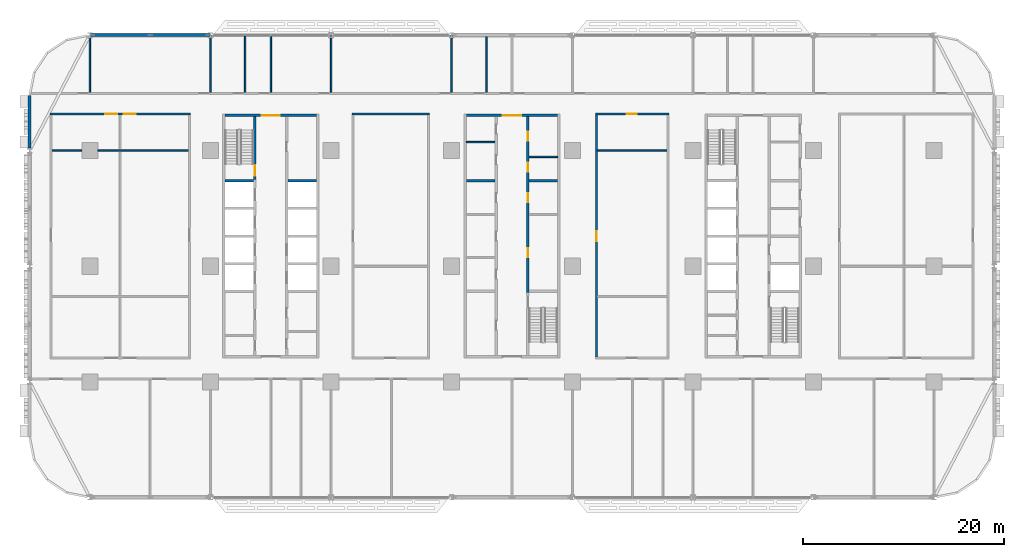
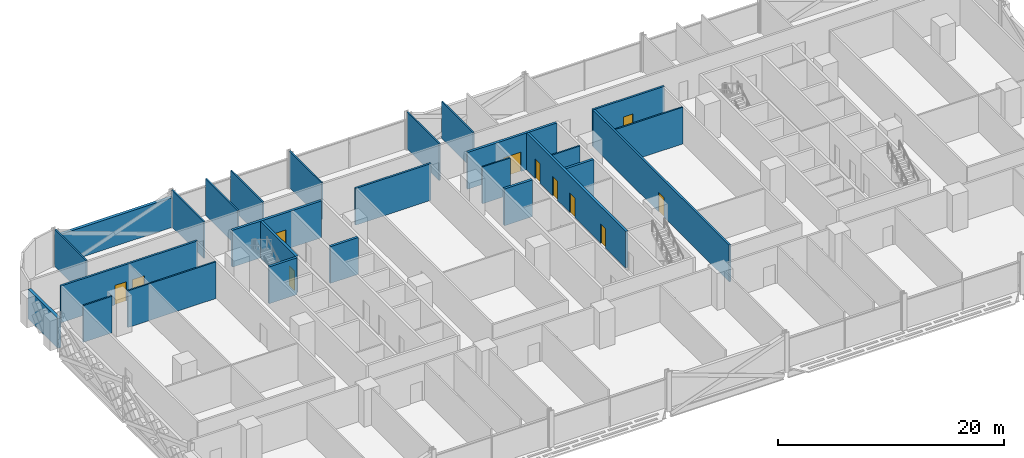
# One storey, part 12 of 29: 26 walls, 11 doors, 11 openings.
"""IFC4 building model written with IfcOpenShell, lengths in metres."""

from ifc_helpers import new_model, si_unit, direction, frame, frame_2d, origin, place, context, subcontext, project, spatial, rectangle, extrude, material, layer, layer_set, type_object, element, fill, save


model = new_model("IFC4")

# Units and contexts
model_context = context("Model", 3, precision=1e-05, world=origin(), true_north=direction((0.0, 1.0)))
body_context = subcontext(model_context, "Body", "Model", "MODEL_VIEW")
ifc_project = project(units=[si_unit("LENGTHUNIT", "METRE"), si_unit("AREAUNIT", "SQUARE_METRE"), si_unit("VOLUMEUNIT", "CUBIC_METRE"), si_unit("PLANEANGLEUNIT", "RADIAN"), si_unit("MASSUNIT", "GRAM", prefix="KILO")], contexts=[model_context])

# Site, building, storey
site_placement = place(None, origin())
site = spatial("IfcSite", under=ifc_project, at=site_placement, CompositionType="ELEMENT")
building_placement = place(site_placement, origin())
building = spatial("IfcBuilding", under=site, at=building_placement, Name="Mahtab Terrace Research Tower", CompositionType="ELEMENT")
storey_placement = place(building_placement, frame((0.0, 0.0, 20.10009765625)))
storey = spatial("IfcBuildingStorey", under=building, at=storey_placement, Name="L04", CompositionType="ELEMENT", Elevation=20.10009765625)

# Walls
ifc_material_1 = material(Name="Gypsum board partition")
ifc_layer_1 = layer(ifc_material_1, 0.14990234375)
ifc_layer_set_1 = layer_set([ifc_layer_1], Name="Core partition 150")
wall_type_1 = type_object("IfcWallType", Name="Core partition 150", PredefinedType="PARTITIONING", material=ifc_layer_set_1)
for number, where, z_axis, x_axis, name in (
    (1, (-4.550048828125, 12.35498046875, 0.0), (0.0, 0.0, 1.0), (1.0, 0.0, 0.0), "Core wall B pWN936"),
    (2, (1.699951171875, 10.875, 0.0), (0.0, 0.0, 1.0), (1.0, 0.0, 0.0), "Core wall B pEN788"),
):
    element("IfcWall", number, at=place(storey_placement, frame(where, z_axis=z_axis, x_axis=x_axis)), inside=storey, type_object=wall_type_1, Name=name, PredefinedType="PARTITIONING", context=body_context, shape_type="SweptSolid", body=[
        extrude(rectangle(XDim=2.85009765625, YDim=0.14990234375, at=frame_2d((1.425048828125, 0.0))), origin(), (0.0, 0.0, 1.0), 3.9599609375),
    ])

# Wall, opening, door
ifc_material_2 = material(Name="Concrete C70/85", Category="concrete")
ifc_layer_2 = layer(ifc_material_2, 0.25)
ifc_layer_set_2 = layer_set([ifc_layer_2], Name="Core wall 250")
wall_type_2 = type_object("IfcWallType", Name="Core wall 250", PredefinedType="SOLIDWALL", material=ifc_layer_set_2)
wall_1_placement = place(storey_placement, frame((-28.550048828125, 15.0, 0.0), z_axis=(0.0, 0.0, 1.0), x_axis=(1.0, 0.0, 0.0)))
wall_1 = element("IfcWall", 3, at=wall_1_placement, inside=storey, type_object=wall_type_2, Name="Core wall A endN", PredefinedType="SOLIDWALL", context=body_context, shape_type="SweptSolid", body=[
    extrude(rectangle(XDim=9.10009765625, YDim=0.25, at=frame_2d((4.550048828125, 0.0))), origin(), (0.0, 0.0, 1.0), 3.9599609375),
])
opening_1_placement = place(wall_1_placement, frame((3.64990234375, 0.0, 0.0)))
opening_1 = element("IfcOpeningElement", 4, at=opening_1_placement, cuts=wall_1, Name="Opening A-N1", PredefinedType="OPENING", context=body_context, shape_type="SweptSolid", body=[
    extrude(rectangle(XDim=1.800048828125, YDim=2.10009765625, at=frame_2d((0.89990234375, 1.050048828125))), frame((0.0, 0.135009765625, 0.0), z_axis=(0.0, -1.0, 0.0), x_axis=(1.0, 0.0, 0.0)), (0.0, 0.0, 1.0), 0.27001953125),
])
ifc_material_3 = material(Name="Steel fire door", Category="steel")
door_type_1 = type_object("IfcDoorType", Name="Lobby double door 1800x2100 1 HR", OperationType="DOUBLE_DOOR_SINGLE_SWING", PredefinedType="DOOR", material=ifc_material_3)
door_1_placement = place(opening_1_placement, origin())
door_1 = element("IfcDoor", 5, at=door_1_placement, inside=storey, type_object=door_type_1, Name="Core entrance door A N", OperationType="DOUBLE_DOOR_SINGLE_SWING", OverallHeight=2.10009765625, OverallWidth=1.800048828125, PredefinedType="DOOR", context=body_context, shape_type="SweptSolid", body=[
    extrude(rectangle(XDim=1.800048828125, YDim=2.10009765625, at=frame_2d((0.89990234375, 1.050048828125))), frame((0.0, 0.02490234375, 0.0), z_axis=(0.0, -1.0, 0.0), x_axis=(1.0, 0.0, 0.0)), (0.0, 0.0, 1.0), 0.050048828125),
])
fill(opening_1, door_1)

wall_2_placement = place(storey_placement, frame((-25.574951171875, 14.875, 0.0), z_axis=(0.0, 0.0, 1.0), x_axis=(0.0, -1.0, 0.0)))
wall_2 = element("IfcWall", 6, at=wall_2_placement, inside=storey, type_object=wall_type_2, Name="Core wall A innerWN", PredefinedType="SOLIDWALL", context=body_context, shape_type="SweptSolid", body=[
    extrude(rectangle(XDim=6.25, YDim=0.25, at=frame_2d((3.125, 0.0))), origin(), (0.0, 0.0, 1.0), 3.9599609375),
])
opening_2_placement = place(wall_2_placement, frame((4.85009765625, 0.0, 0.0)))
opening_2 = element("IfcOpeningElement", 7, at=opening_2_placement, cuts=wall_2, Name="Opening A-ST1", PredefinedType="OPENING", context=body_context, shape_type="SweptSolid", body=[
    extrude(rectangle(XDim=1.0, YDim=2.10009765625, at=frame_2d((0.5, 1.050048828125))), frame((0.0, 0.135009765625, 0.0), z_axis=(0.0, -1.0, 0.0), x_axis=(1.0, 0.0, 0.0)), (0.0, 0.0, 1.0), 0.27001953125),
])
door_type_2 = type_object("IfcDoorType", Name="Stair door 1000x2100 1.5 HR", OperationType="NOTDEFINED", PredefinedType="DOOR", material=ifc_material_3)
door_2_placement = place(opening_2_placement, origin())
door_2 = element("IfcDoor", 8, at=door_2_placement, inside=storey, type_object=door_type_2, Name="Stair door ST1 L04", OperationType="SINGLE_SWING_RIGHT", OverallHeight=2.10009765625, OverallWidth=1.0, PredefinedType="DOOR", context=body_context, shape_type="SweptSolid", body=[
    extrude(rectangle(XDim=1.0, YDim=2.10009765625, at=frame_2d((0.5, 1.050048828125))), frame((0.0, 0.02490234375, 0.0), z_axis=(0.0, -1.0, 0.0), x_axis=(1.0, 0.0, 0.0)), (0.0, 0.0, 1.0), 0.050048828125),
])
fill(opening_2, door_2)

# Walls
for number, where, z_axis, x_axis, name in (
    (9, (-28.550048828125, 8.5, 0.0), (0.0, 0.0, 1.0), (1.0, 0.0, 0.0), "Core wall A divW4"),
    (10, (-22.300048828125, 8.5, 0.0), (0.0, 0.0, 1.0), (1.0, 0.0, 0.0), "Core wall A divE4"),
):
    element("IfcWall", number, at=place(storey_placement, frame(where, z_axis=z_axis, x_axis=x_axis)), inside=storey, type_object=wall_type_2, Name=name, PredefinedType="SOLIDWALL", context=body_context, shape_type="SweptSolid", body=[
        extrude(rectangle(XDim=2.85009765625, YDim=0.25, at=frame_2d((1.425048828125, 0.0))), origin(), (0.0, 0.0, 1.0), 3.9599609375),
    ])

# Wall, opening, door
wall_3_placement = place(storey_placement, frame((-4.550048828125, 15.0, 0.0), z_axis=(0.0, 0.0, 1.0), x_axis=(1.0, 0.0, 0.0)))
wall_3 = element("IfcWall", 11, at=wall_3_placement, inside=storey, type_object=wall_type_2, Name="Core wall B endN", PredefinedType="SOLIDWALL", context=body_context, shape_type="SweptSolid", body=[
    extrude(rectangle(XDim=9.10009765625, YDim=0.25, at=frame_2d((4.550048828125, 0.0))), origin(), (0.0, 0.0, 1.0), 3.9599609375),
])
opening_3_placement = place(wall_3_placement, frame((3.64990234375, 0.0, 0.0)))
opening_3 = element("IfcOpeningElement", 12, at=opening_3_placement, cuts=wall_3, Name="Opening B-N1", PredefinedType="OPENING", context=body_context, shape_type="SweptSolid", body=[
    extrude(rectangle(XDim=1.800048828125, YDim=2.10009765625, at=frame_2d((0.89990234375, 1.050048828125))), frame((0.0, 0.135009765625, 0.0), z_axis=(0.0, -1.0, 0.0), x_axis=(1.0, 0.0, 0.0)), (0.0, 0.0, 1.0), 0.27001953125),
])
door_3_placement = place(opening_3_placement, origin())
door_3 = element("IfcDoor", 13, at=door_3_placement, inside=storey, type_object=door_type_1, Name="Core entrance door B N", OperationType="DOUBLE_DOOR_SINGLE_SWING", OverallHeight=2.10009765625, OverallWidth=1.800048828125, PredefinedType="DOOR", context=body_context, shape_type="SweptSolid", body=[
    extrude(rectangle(XDim=1.800048828125, YDim=2.10009765625, at=frame_2d((0.89990234375, 1.050048828125))), frame((0.0, 0.02490234375, 0.0), z_axis=(0.0, -1.0, 0.0), x_axis=(1.0, 0.0, 0.0)), (0.0, 0.0, 1.0), 0.050048828125),
])
fill(opening_3, door_3)

# Wall, openings, doors
wall_4_placement = place(storey_placement, frame((1.574951171875, 14.875, 0.0), z_axis=(0.0, 0.0, 1.0), x_axis=(0.0, -1.0, 0.0)))
wall_4 = element("IfcWall", 14, at=wall_4_placement, inside=storey, type_object=wall_type_2, Name="Core wall B innerELN", PredefinedType="SOLIDWALL", context=body_context, shape_type="SweptSolid", body=[
    extrude(rectangle(XDim=17.5, YDim=0.25, at=frame_2d((8.75, 0.0))), origin(), (0.0, 0.0, 1.0), 3.9599609375),
])
opening_4_placement = place(wall_4_placement, frame((13.074951171875, 0.0, 0.0)))
opening_4 = element("IfcOpeningElement", 15, at=opening_4_placement, cuts=wall_4, Name="Opening B-R4", PredefinedType="OPENING", context=body_context, shape_type="SweptSolid", body=[
    extrude(rectangle(XDim=0.89990234375, YDim=2.10009765625, at=frame_2d((0.449951171875, 1.050048828125))), frame((0.0, 0.135009765625, 0.0), z_axis=(0.0, -1.0, 0.0), x_axis=(1.0, 0.0, 0.0)), (0.0, 0.0, 1.0), 0.27001953125),
])
opening_5_placement = place(wall_4_placement, frame((7.625, 0.0, 0.0)))
opening_5 = element("IfcOpeningElement", 16, at=opening_5_placement, cuts=wall_4, Name="Opening B-R5", PredefinedType="OPENING", context=body_context, shape_type="SweptSolid", body=[
    extrude(rectangle(XDim=0.89990234375, YDim=2.10009765625, at=frame_2d((0.449951171875, 1.050048828125))), frame((0.0, 0.135009765625, 0.0), z_axis=(0.0, -1.0, 0.0), x_axis=(1.0, 0.0, 0.0)), (0.0, 0.0, 1.0), 0.27001953125),
])
opening_6_placement = place(wall_4_placement, frame((4.58740234375, 0.0, 0.0)))
opening_6 = element("IfcOpeningElement", 17, at=opening_6_placement, cuts=wall_4, Name="Opening B-R9", PredefinedType="OPENING", context=body_context, shape_type="SweptSolid", body=[
    extrude(rectangle(XDim=0.89990234375, YDim=2.10009765625, at=frame_2d((0.449951171875, 1.050048828125))), frame((0.0, 0.135009765625, 0.0), z_axis=(0.0, -1.0, 0.0), x_axis=(1.0, 0.0, 0.0)), (0.0, 0.0, 1.0), 0.27001953125),
])
opening_7_placement = place(wall_4_placement, frame((1.512451171875, 0.0, 0.0)))
opening_7 = element("IfcOpeningElement", 18, at=opening_7_placement, cuts=wall_4, Name="Opening B-R10", PredefinedType="OPENING", context=body_context, shape_type="SweptSolid", body=[
    extrude(rectangle(XDim=0.89990234375, YDim=2.10009765625, at=frame_2d((0.449951171875, 1.050048828125))), frame((0.0, 0.135009765625, 0.0), z_axis=(0.0, -1.0, 0.0), x_axis=(1.0, 0.0, 0.0)), (0.0, 0.0, 1.0), 0.27001953125),
])
door_type_3 = type_object("IfcDoorType", Name="Room door 900x2100 1 HR", OperationType="NOTDEFINED", PredefinedType="DOOR", material=ifc_material_3)
door_4_placement = place(opening_4_placement, origin())
door_4 = element("IfcDoor", 19, at=door_4_placement, inside=storey, type_object=door_type_3, Name="Chemical store door", OperationType="SINGLE_SWING_RIGHT", OverallHeight=2.10009765625, OverallWidth=0.89990234375, PredefinedType="DOOR", context=body_context, shape_type="SweptSolid", body=[
    extrude(rectangle(XDim=0.89990234375, YDim=2.10009765625, at=frame_2d((0.449951171875, 1.050048828125))), frame((0.0, 0.02490234375, 0.0), z_axis=(0.0, -1.0, 0.0), x_axis=(1.0, 0.0, 0.0)), (0.0, 0.0, 1.0), 0.050048828125),
])
fill(opening_4, door_4)
door_5_placement = place(opening_5_placement, origin())
door_5 = element("IfcDoor", 20, at=door_5_placement, inside=storey, type_object=door_type_3, Name="Waste room door", OperationType="SINGLE_SWING_LEFT", OverallHeight=2.10009765625, OverallWidth=0.89990234375, PredefinedType="DOOR", context=body_context, shape_type="SweptSolid", body=[
    extrude(rectangle(XDim=0.89990234375, YDim=2.10009765625, at=frame_2d((0.449951171875, 1.050048828125))), frame((0.0, 0.02490234375, 0.0), z_axis=(0.0, -1.0, 0.0), x_axis=(1.0, 0.0, 0.0)), (0.0, 0.0, 1.0), 0.050048828125),
])
fill(opening_5, door_5)
door_6_placement = place(opening_6_placement, origin())
door_6 = element("IfcDoor", 21, at=door_6_placement, inside=storey, type_object=door_type_3, Name="Accessible WC door", OperationType="SINGLE_SWING_LEFT", OverallHeight=2.10009765625, OverallWidth=0.89990234375, PredefinedType="DOOR", context=body_context, shape_type="SweptSolid", body=[
    extrude(rectangle(XDim=0.89990234375, YDim=2.10009765625, at=frame_2d((0.449951171875, 1.050048828125))), frame((0.0, 0.02490234375, 0.0), z_axis=(0.0, -1.0, 0.0), x_axis=(1.0, 0.0, 0.0)), (0.0, 0.0, 1.0), 0.050048828125),
])
fill(opening_6, door_6)
door_7_placement = place(opening_7_placement, origin())
door_7 = element("IfcDoor", 22, at=door_7_placement, inside=storey, type_object=door_type_3, Name="WC block door", OperationType="SINGLE_SWING_RIGHT", OverallHeight=2.10009765625, OverallWidth=0.89990234375, PredefinedType="DOOR", context=body_context, shape_type="SweptSolid", body=[
    extrude(rectangle(XDim=0.89990234375, YDim=2.10009765625, at=frame_2d((0.449951171875, 1.050048828125))), frame((0.0, 0.02490234375, 0.0), z_axis=(0.0, -1.0, 0.0), x_axis=(1.0, 0.0, 0.0)), (0.0, 0.0, 1.0), 0.050048828125),
])
fill(opening_7, door_7)

# Walls
for number, where, z_axis, x_axis, name in (
    (23, (-4.550048828125, 8.5, 0.0), (0.0, 0.0, 1.0), (1.0, 0.0, 0.0), "Core wall B divW4"),
    (24, (1.699951171875, 8.5, 0.0), (0.0, 0.0, 1.0), (1.0, 0.0, 0.0), "Core wall B divE4"),
):
    element("IfcWall", number, at=place(storey_placement, frame(where, z_axis=z_axis, x_axis=x_axis)), inside=storey, type_object=wall_type_2, Name=name, PredefinedType="SOLIDWALL", context=body_context, shape_type="SweptSolid", body=[
        extrude(rectangle(XDim=2.85009765625, YDim=0.25, at=frame_2d((1.425048828125, 0.0))), origin(), (0.0, 0.0, 1.0), 3.9599609375),
    ])
ifc_material_4 = material(Name="Black aluminium cladding panel", Category="aluminium")
ifc_layer_3 = layer(ifc_material_4, 0.300048828125)
ifc_layer_set_3 = layer_set([ifc_layer_3], Name="Opaque facade wall 300")
wall_type_3 = type_object("IfcWallType", Name="Opaque facade wall 300", PredefinedType="NOTDEFINED", material=ifc_layer_set_3)
wall_5_placement = place(storey_placement, frame((-30.02783203125, 23.0, 0.0), z_axis=(0.0, 0.0, 1.0), x_axis=(-1.0, 0.0, 0.0)))
element("IfcWall", 25, at=wall_5_placement, inside=storey, type_object=wall_type_3, Name="Opaque facade wall L04 N9", PredefinedType="NOTDEFINED", context=body_context, shape_type="SweptSolid", body=[
    extrude(rectangle(XDim=11.9443359375, YDim=0.300048828125, at=frame_2d((5.97216796875, 0.0))), origin(), (0.0, 0.0, 1.0), 3.202880859375),
])
wall_6_placement = place(storey_placement, frame((-48.0, 17.0, 0.0), z_axis=(0.0, 0.0, 1.0), x_axis=(0.0, -1.0, 0.0)))
element("IfcWall", 26, at=wall_6_placement, inside=storey, type_object=wall_type_3, Name="Opaque facade wall L04 W14", PredefinedType="NOTDEFINED", context=body_context, shape_type="SweptSolid", body=[
    extrude(rectangle(XDim=5.2509765625, YDim=0.300048828125, at=frame_2d((2.62548828125, 0.0))), origin(), (0.0, 0.0, 1.0), 3.202880859375),
])

# Wall, openings, doors
ifc_material_5 = material(Name="Gypsum board corridor wall on steel studs", Category="steel")
ifc_layer_4 = layer(ifc_material_5, 0.199951171875)
ifc_layer_set_4 = layer_set([ifc_layer_4], Name="WALL CORRIDOR 200")
wall_type_4 = type_object("IfcWallType", Name="WALL CORRIDOR 200", PredefinedType="PARTITIONING", material=ifc_layer_set_4)
wall_7_placement = place(storey_placement, frame((-45.949951171875, 15.125, 0.0), z_axis=(0.0, 0.0, 1.0), x_axis=(1.0, 0.0, 0.0)))
wall_7 = element("IfcWall", 27, at=wall_7_placement, inside=storey, type_object=wall_type_4, Name="L04-W022", PredefinedType="PARTITIONING", context=body_context, shape_type="SweptSolid", body=[
    extrude(rectangle(XDim=13.949951171875, YDim=0.199951171875, at=frame_2d((6.97509765625, 0.0))), origin(), (0.0, 0.0, 1.0), 3.9599609375),
])
opening_8_placement = place(wall_7_placement, frame((5.5, 0.0, 0.0)))
opening_8 = element("IfcOpeningElement", 28, at=opening_8_placement, cuts=wall_7, Name="Opening L04-128", PredefinedType="OPENING", context=body_context, shape_type="SweptSolid", body=[
    extrude(rectangle(XDim=1.199951171875, YDim=2.10009765625, at=frame_2d((0.60009765625, 1.050048828125))), frame((0.0, 0.10986328125, 0.0), z_axis=(0.0, -1.0, 0.0), x_axis=(1.0, 0.0, 0.0)), (0.0, 0.0, 1.0), 0.219970703125),
])
opening_9_placement = place(wall_7_placement, frame((7.300048828125, 0.0, 0.0)))
opening_9 = element("IfcOpeningElement", 29, at=opening_9_placement, cuts=wall_7, Name="Opening L04-129", PredefinedType="OPENING", context=body_context, shape_type="SweptSolid", body=[
    extrude(rectangle(XDim=1.199951171875, YDim=2.10009765625, at=frame_2d((0.60009765625, 1.050048828125))), frame((0.0, 0.10986328125, 0.0), z_axis=(0.0, -1.0, 0.0), x_axis=(1.0, 0.0, 0.0)), (0.0, 0.0, 1.0), 0.219970703125),
])
ifc_material_6 = material(Name="Timber door leaf in steel frame", Category="steel")
door_type_4 = type_object("IfcDoorType", Name="DOOR 1200X2100 FD30S", OperationType="SINGLE_SWING_LEFT", PredefinedType="DOOR", material=ifc_material_6)
door_8_placement = place(opening_8_placement, origin())
door_8 = element("IfcDoor", 30, at=door_8_placement, inside=storey, type_object=door_type_4, Name="Door L04-128", OperationType="SINGLE_SWING_RIGHT", OverallHeight=2.10009765625, OverallWidth=1.199951171875, PredefinedType="DOOR", context=body_context, shape_type="SweptSolid", body=[
    extrude(rectangle(XDim=1.199951171875, YDim=2.10009765625, at=frame_2d((0.60009765625, 1.050048828125))), frame((0.0, 0.02490234375, 0.0), z_axis=(0.0, -1.0, 0.0), x_axis=(1.0, 0.0, 0.0)), (0.0, 0.0, 1.0), 0.050048828125),
])
fill(opening_8, door_8)
door_9_placement = place(opening_9_placement, origin())
door_9 = element("IfcDoor", 31, at=door_9_placement, inside=storey, type_object=door_type_4, Name="Door L04-129", OperationType="SINGLE_SWING_LEFT", OverallHeight=2.10009765625, OverallWidth=1.199951171875, PredefinedType="DOOR", context=body_context, shape_type="SweptSolid", body=[
    extrude(rectangle(XDim=1.199951171875, YDim=2.10009765625, at=frame_2d((0.60009765625, 1.050048828125))), frame((0.0, 0.02490234375, 0.0), z_axis=(0.0, -1.0, 0.0), x_axis=(1.0, 0.0, 0.0)), (0.0, 0.0, 1.0), 0.050048828125),
])
fill(opening_9, door_9)

# Wall
wall_8_placement = place(storey_placement, frame((-15.89990234375, 15.125, 0.0), z_axis=(0.0, 0.0, 1.0), x_axis=(1.0, 0.0, 0.0)))
element("IfcWall", 32, at=wall_8_placement, inside=storey, type_object=wall_type_4, Name="L04-W023", PredefinedType="PARTITIONING", context=body_context, shape_type="SweptSolid", body=[
    extrude(rectangle(XDim=7.699951171875, YDim=0.199951171875, at=frame_2d((3.85009765625, 0.0))), origin(), (0.0, 0.0, 1.0), 3.9599609375),
])

# Wall, opening, door
wall_9_placement = place(storey_placement, frame((8.300048828125, 15.125, 0.0), z_axis=(0.0, 0.0, 1.0), x_axis=(1.0, 0.0, 0.0)))
wall_9 = element("IfcWall", 33, at=wall_9_placement, inside=storey, type_object=wall_type_4, Name="L04-W024", PredefinedType="PARTITIONING", context=body_context, shape_type="SweptSolid", body=[
    extrude(rectangle(XDim=7.300048828125, YDim=0.199951171875, at=frame_2d((3.64990234375, 0.0))), origin(), (0.0, 0.0, 1.0), 3.9599609375),
])
opening_10_placement = place(wall_9_placement, frame((3.10009765625, 0.0, 0.0)))
opening_10 = element("IfcOpeningElement", 34, at=opening_10_placement, cuts=wall_9, Name="Opening L04-130", PredefinedType="OPENING", context=body_context, shape_type="SweptSolid", body=[
    extrude(rectangle(XDim=1.0, YDim=2.10009765625, at=frame_2d((0.5, 1.050048828125))), frame((0.0, 0.10986328125, 0.0), z_axis=(0.0, -1.0, 0.0), x_axis=(1.0, 0.0, 0.0)), (0.0, 0.0, 1.0), 0.219970703125),
])
door_type_5 = type_object("IfcDoorType", Name="DOOR 1000X2100 FD30S", OperationType="SINGLE_SWING_LEFT", PredefinedType="DOOR", material=ifc_material_6)
door_10_placement = place(opening_10_placement, origin())
door_10 = element("IfcDoor", 35, at=door_10_placement, inside=storey, type_object=door_type_5, Name="Door L04-130", OperationType="SINGLE_SWING_RIGHT", OverallHeight=2.10009765625, OverallWidth=1.0, PredefinedType="DOOR", context=body_context, shape_type="SweptSolid", body=[
    extrude(rectangle(XDim=1.0, YDim=2.10009765625, at=frame_2d((0.5, 1.050048828125))), frame((0.0, 0.02490234375, 0.0), z_axis=(0.0, -1.0, 0.0), x_axis=(1.0, 0.0, 0.0)), (0.0, 0.0, 1.0), 0.050048828125),
])
fill(opening_10, door_10)

wall_10_placement = place(storey_placement, frame((8.39990234375, -9.02490234375, 0.0), z_axis=(0.0, 0.0, 1.0), x_axis=(0.0, 1.0, 0.0)))
wall_10 = element("IfcWall", 36, at=wall_10_placement, inside=storey, type_object=wall_type_4, Name="L04-W049", PredefinedType="PARTITIONING", context=body_context, shape_type="SweptSolid", body=[
    extrude(rectangle(XDim=24.0498046875, YDim=0.199951171875, at=frame_2d((12.02490234375, 0.0))), origin(), (0.0, 0.0, 1.0), 3.9599609375),
])
opening_11_placement = place(wall_10_placement, frame((11.5, 0.0, 0.0)))
opening_11 = element("IfcOpeningElement", 37, at=opening_11_placement, cuts=wall_10, Name="Opening L04-124", PredefinedType="OPENING", context=body_context, shape_type="SweptSolid", body=[
    extrude(rectangle(XDim=1.0, YDim=2.10009765625, at=frame_2d((0.5, 1.050048828125))), frame((0.0, 0.10986328125, 0.0), z_axis=(0.0, -1.0, 0.0), x_axis=(1.0, 0.0, 0.0)), (0.0, 0.0, 1.0), 0.219970703125),
])
door_11_placement = place(opening_11_placement, origin())
door_11 = element("IfcDoor", 38, at=door_11_placement, inside=storey, type_object=door_type_5, Name="Door L04-124", OperationType="SINGLE_SWING_RIGHT", OverallHeight=2.10009765625, OverallWidth=1.0, PredefinedType="DOOR", context=body_context, shape_type="SweptSolid", body=[
    extrude(rectangle(XDim=1.0, YDim=2.10009765625, at=frame_2d((0.5, 1.050048828125))), frame((0.0, 0.02490234375, 0.0), z_axis=(0.0, -1.0, 0.0), x_axis=(1.0, 0.0, 0.0)), (0.0, 0.0, 1.0), 0.050048828125),
])
fill(opening_11, door_11)

# Walls
ifc_material_7 = material(Name="Gypsum board partition on steel studs", Category="steel")
ifc_layer_5 = layer(ifc_material_7, 0.14990234375)
ifc_layer_set_5 = layer_set([ifc_layer_5], Name="WALL PARTITION 150")
wall_type_5 = type_object("IfcWallType", Name="WALL PARTITION 150", PredefinedType="PARTITIONING", material=ifc_layer_set_5)
wall_11_placement = place(storey_placement, frame((-45.75, 11.5, 0.0), z_axis=(0.0, 0.0, 1.0), x_axis=(1.0, 0.0, 0.0)))
element("IfcWall", 39, at=wall_11_placement, inside=storey, type_object=wall_type_5, Name="L04-W019", PredefinedType="PARTITIONING", context=body_context, shape_type="SweptSolid", body=[
    extrude(rectangle(XDim=2.949951171875, YDim=0.14990234375, at=frame_2d((1.47509765625, 0.0))), origin(), (0.0, 0.0, 1.0), 3.9599609375),
])
wall_12_placement = place(storey_placement, frame((-41.199951171875, 11.5, 0.0), z_axis=(0.0, 0.0, 1.0), x_axis=(1.0, 0.0, 0.0)))
element("IfcWall", 40, at=wall_12_placement, inside=storey, type_object=wall_type_5, Name="L04-W020", PredefinedType="PARTITIONING", context=body_context, shape_type="SweptSolid", body=[
    extrude(rectangle(XDim=9.0, YDim=0.14990234375, at=frame_2d((4.5, 0.0))), origin(), (0.0, 0.0, 1.0), 3.9599609375),
])
wall_13_placement = place(storey_placement, frame((8.5, 11.5, 0.0), z_axis=(0.0, 0.0, 1.0), x_axis=(1.0, 0.0, 0.0)))
element("IfcWall", 41, at=wall_13_placement, inside=storey, type_object=wall_type_5, Name="L04-W021", PredefinedType="PARTITIONING", context=body_context, shape_type="SweptSolid", body=[
    extrude(rectangle(XDim=6.89990234375, YDim=0.14990234375, at=frame_2d((3.449951171875, 0.0))), origin(), (0.0, 0.0, 1.0), 3.9599609375),
])
wall_14_placement = place(storey_placement, frame((-42.0, 17.300048828125, 0.0), z_axis=(0.0, 0.0, 1.0), x_axis=(0.0, 1.0, 0.0)))
element("IfcWall", 42, at=wall_14_placement, inside=storey, type_object=wall_type_5, Name="L04-W028", PredefinedType="PARTITIONING", context=body_context, shape_type="SweptSolid", body=[
    extrude(rectangle(XDim=5.547119140625, YDim=0.14990234375, at=frame_2d((2.7734375, 0.0))), origin(), (0.0, 0.0, 1.0), 3.9599609375),
])
for number, where, z_axis, x_axis, name in (
    (43, (-30.0, 17.300048828125, 0.0), (0.0, 0.0, 1.0), (0.0, 1.0, 0.0), "L04-W033"),
    (44, (-26.550048828125, 17.300048828125, 0.0), (0.0, 0.0, 1.0), (0.0, 1.0, 0.0), "L04-W034"),
    (45, (-24.0, 17.300048828125, 0.0), (0.0, 0.0, 1.0), (0.0, 1.0, 0.0), "L04-W036"),
    (46, (-18.0, 17.300048828125, 0.0), (0.0, 0.0, 1.0), (0.0, 1.0, 0.0), "L04-W039"),
    (47, (-6.0, 17.300048828125, 0.0), (0.0, 0.0, 1.0), (0.0, 1.0, 0.0), "L04-W043"),
):
    element("IfcWall", number, at=place(storey_placement, frame(where, z_axis=z_axis, x_axis=x_axis)), inside=storey, type_object=wall_type_5, Name=name, PredefinedType="PARTITIONING", context=body_context, shape_type="SweptSolid", body=[
        extrude(rectangle(XDim=5.675048828125, YDim=0.14990234375, at=frame_2d((2.83740234375, 0.0))), origin(), (0.0, 0.0, 1.0), 3.9599609375),
    ])
wall_15_placement = place(storey_placement, frame((-2.550048828125, 17.300048828125, 0.0), z_axis=(0.0, 0.0, 1.0), x_axis=(0.0, 1.0, 0.0)))
element("IfcWall", 48, at=wall_15_placement, inside=storey, type_object=wall_type_5, Name="L04-W044", PredefinedType="PARTITIONING", context=body_context, shape_type="SweptSolid", body=[
    extrude(rectangle(XDim=5.550048828125, YDim=0.14990234375, at=frame_2d((2.77490234375, 0.0))), origin(), (0.0, 0.0, 1.0), 3.9599609375),
])

save(model, "model.ifc")
